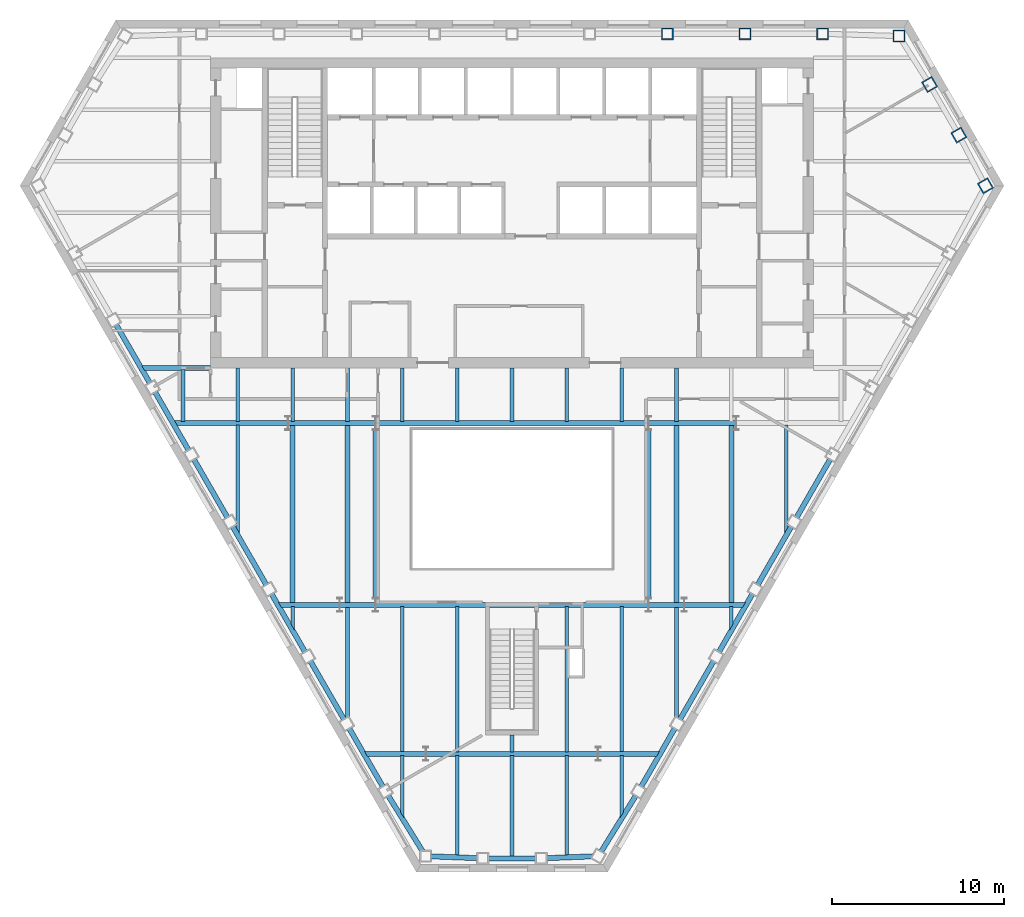
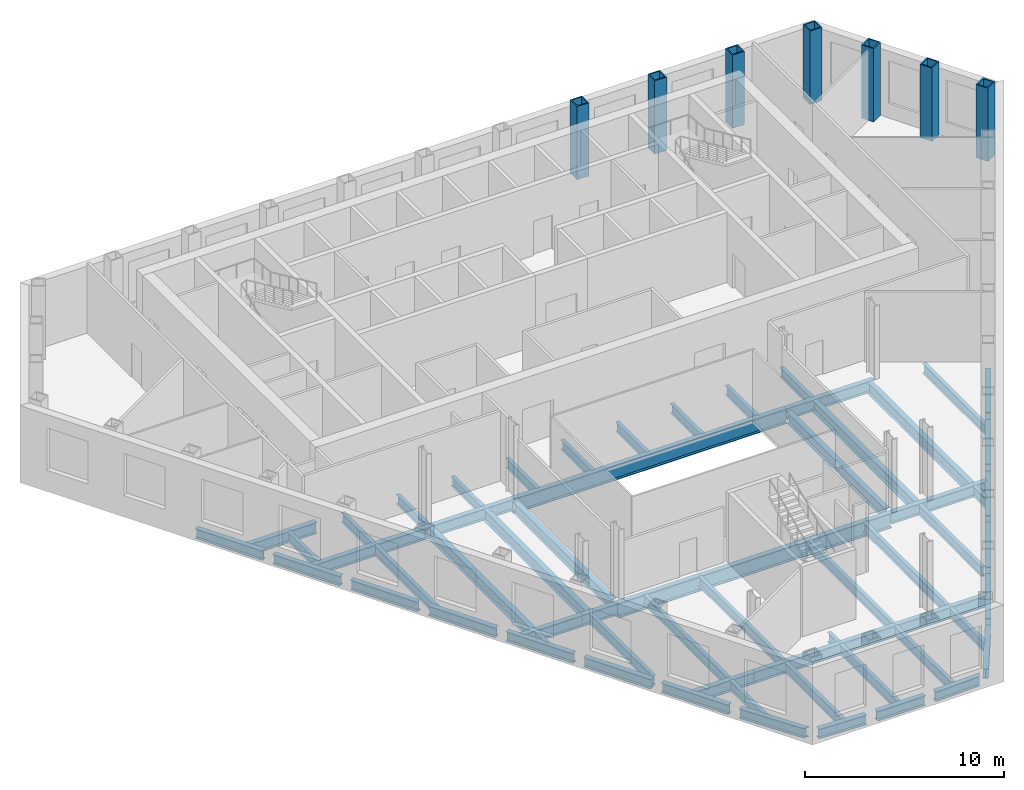
# One storey, part 2 of 11: 62 beams, 7 columns.
"""IFC4 building model written with IfcOpenShell, lengths in metres."""

from ifc_helpers import new_model, si_unit, direction, frame, origin, origin_2d, place, context, subcontext, project, spatial, hollow_rectangle, i_section, extrude, clip, halfspace, material, material_profile, profile_set, type_object, element, save


model = new_model("IFC4")

# Units and contexts
model_context = context("Model", 3, precision=1e-05, world=origin(), true_north=direction((0.0, 1.0)))
body_context = subcontext(model_context, "Body", "Model", "MODEL_VIEW")
ifc_project = project(units=[si_unit("LENGTHUNIT", "METRE"), si_unit("AREAUNIT", "SQUARE_METRE"), si_unit("VOLUMEUNIT", "CUBIC_METRE"), si_unit("PLANEANGLEUNIT", "RADIAN"), si_unit("MASSUNIT", "GRAM", prefix="KILO")], contexts=[model_context])

# Site, building, storey
site_placement = place(None, origin())
site = spatial("IfcSite", under=ifc_project, at=site_placement, CompositionType="ELEMENT")
building_placement = place(site_placement, origin())
building = spatial("IfcBuilding", under=site, at=building_placement, Name="Njiva Tower", CompositionType="ELEMENT")
storey_placement = place(building_placement, frame((0.0, 0.0, 64.8)))
storey = spatial("IfcBuildingStorey", under=building, at=storey_placement, Name="L13", CompositionType="ELEMENT", Elevation=64.8)

# Columns
ifc_material = material(Name="Steel S355 J2", Category="steel")
ifc_material_profile_1 = material_profile(ifc_material, hollow_rectangle(XDim=0.7, YDim=0.7, WallThickness=0.07, at=origin_2d()), Name="BOX 700x700x70")
ifc_profile_set_1 = profile_set([ifc_material_profile_1], Name="Steel S355 J2")
column_type = type_object("IfcColumnType", Name="C5 Perimeter tube column BOX 700x700x70", PredefinedType="COLUMN", material=ifc_profile_set_1)
for number, where, z_axis, x_axis, name in (
    (1, (22.466, 19.267, 0.0), (0.0, 0.0, 1.0), (-1.0, 0.0, 0.0), "Perimeter tube column S04-C01"),
    (2, (18.034, 19.4, 0.0), (0.0, 0.0, 1.0), (-1.0, 0.0, 0.0), "Perimeter tube column S04-C02"),
    (3, (13.526, 19.4, 0.0), (0.0, 0.0, 1.0), (-1.0, 0.0, 0.0), "Perimeter tube column S04-C03"),
    (4, (9.017, 19.4, 0.0), (0.0, 0.0, 1.0), (-1.0, 0.0, 0.0), "Perimeter tube column S04-C04"),
    (5, (27.483, 10.578, 0.0), (0.0, 0.0, 1.0), (-0.5, 0.866025403784, 0.0), "Perimeter tube column S04-C37"),
    (6, (25.939, 13.519, 0.0), (0.0, 0.0, 1.0), (-0.5, 0.866025403784, 0.0), "Perimeter tube column S04-C38"),
    (7, (24.241, 16.459, 0.0), (0.0, 0.0, 1.0), (-0.5, 0.866025403784, 0.0), "Perimeter tube column S04-C39"),
):
    element("IfcColumn", number, at=place(storey_placement, frame(where, z_axis=z_axis, x_axis=x_axis)), inside=storey, type_object=column_type, Name=name, PredefinedType="COLUMN", context=body_context, shape_type="SweptSolid", body=[
        extrude(hollow_rectangle(XDim=0.7, YDim=0.7, WallThickness=0.07, at=origin_2d()), origin(), (0.0, 0.0, 1.0), 4.5),
    ])

# Beams
ifc_material_profile_2 = material_profile(ifc_material, i_section(OverallWidth=0.3, OverallDepth=0.69, WebThickness=0.0145, FlangeThickness=0.027, at=origin_2d()), Name="HEA 700")
ifc_profile_set_2 = profile_set([ifc_material_profile_2], Name="Steel S355 J2")
beam_type_1 = type_object("IfcBeamType", Name="B12 Long-span floor joist HEA 700", PredefinedType="JOIST", material=ifc_profile_set_2)
for number, where, z_axis, x_axis, name in (
    (8, (-12.733, -3.3, -0.545), (0.0, -1.0, 0.0), (1.0, 0.0, 0.0), "Long-span floor joist S04-B064"),
    (9, (-9.55, -3.3, -0.545), (0.0, -1.0, 0.0), (1.0, 0.0, 0.0), "Long-span floor joist S04-B068"),
    (10, (9.55, -3.3, -0.545), (0.0, -1.0, 0.0), (1.0, 0.0, 0.0), "Long-span floor joist S04-B087"),
    (11, (12.733, -3.3, -0.545), (0.0, -1.0, 0.0), (1.0, 0.0, 0.0), "Long-span floor joist S04-B090"),
):
    element("IfcBeam", number, at=place(storey_placement, frame(where, z_axis=z_axis, x_axis=x_axis)), inside=storey, type_object=beam_type_1, Name=name, PredefinedType="JOIST", context=body_context, shape_type="SweptSolid", body=[
        extrude(i_section(OverallWidth=0.3, OverallDepth=0.69, WebThickness=0.0145, FlangeThickness=0.027, at=origin_2d()), origin(), (0.0, 0.0, 1.0), 10.35),
    ])
ifc_material_profile_3 = material_profile(ifc_material, i_section(OverallWidth=0.22, OverallDepth=0.6, WebThickness=0.012, FlangeThickness=0.019, at=origin_2d()), Name="IPE 600")
ifc_profile_set_3 = profile_set([ifc_material_profile_3], Name="Steel S355 J2")
beam_type_2 = type_object("IfcBeamType", Name="B13 Floor joist IPE 600", PredefinedType="JOIST", material=ifc_profile_set_3)
beam_1_placement = place(storey_placement, frame((-15.917, -3.3, -0.5), z_axis=(0.0, -1.0, 0.0), x_axis=(1.0, 0.0, 0.0)))
element("IfcBeam", 12, at=beam_1_placement, inside=storey, type_object=beam_type_2, Name="Floor joist S04-B061", PredefinedType="JOIST", context=body_context, shape_type="Clipping", body=[
    clip(extrude(i_section(OverallWidth=0.22, OverallDepth=0.6, WebThickness=0.012, FlangeThickness=0.019, at=origin_2d()), origin(), (0.0, 0.0, 1.0), 6.431), halfspace(frame((-0.043, 0.0, 6.1454), z_axis=(-0.866026552831, 0.0, 0.499998009787), x_axis=(0.0, 1.0, 0.0)), False)),
])
beam_2_placement = place(storey_placement, frame((-9.55, -13.85, -0.5), z_axis=(0.0, -1.0, 0.0), x_axis=(1.0, 0.0, 0.0)))
element("IfcBeam", 13, at=beam_2_placement, inside=storey, type_object=beam_type_2, Name="Floor joist S04-B067", PredefinedType="JOIST", context=body_context, shape_type="Clipping", body=[
    clip(extrude(i_section(OverallWidth=0.22, OverallDepth=0.6, WebThickness=0.012, FlangeThickness=0.019, at=origin_2d()), origin(), (0.0, 0.0, 1.0), 6.516), halfspace(frame((0.025, 0.0, 6.4171), z_axis=(0.499998009787, 0.0, 0.866026552831), x_axis=(0.0, 1.0, 0.0)), False)),
])
for number, where, z_axis, x_axis, name in (
    (14, (-6.367, -13.851, -0.5), (0.0, -1.0, 0.0), (1.0, 0.0, 0.0), "Floor joist S04-B071"),
    (15, (-3.183, -13.851, -0.5), (0.0, -1.0, 0.0), (1.0, 0.0, 0.0), "Floor joist S04-B074"),
):
    element("IfcBeam", number, at=place(storey_placement, frame(where, z_axis=z_axis, x_axis=x_axis)), inside=storey, type_object=beam_type_2, Name=name, PredefinedType="JOIST", context=body_context, shape_type="SweptSolid", body=[
        extrude(i_section(OverallWidth=0.22, OverallDepth=0.6, WebThickness=0.012, FlangeThickness=0.019, at=origin_2d()), origin(), (0.0, 0.0, 1.0), 8.449),
    ])
beam_3_placement = place(storey_placement, frame((-3.183, -22.5, -0.5), z_axis=(0.0, -1.0, 0.0), x_axis=(1.0, 0.0, 0.0)))
element("IfcBeam", 16, at=beam_3_placement, inside=storey, type_object=beam_type_2, Name="Floor joist S04-B073", PredefinedType="JOIST", context=body_context, shape_type="SweptSolid", body=[
    extrude(i_section(OverallWidth=0.22, OverallDepth=0.6, WebThickness=0.012, FlangeThickness=0.019, at=origin_2d()), origin(), (0.0, 0.0, 1.0), 5.804),
])
beam_4_placement = place(storey_placement, frame((0.0, -22.5, -0.5), z_axis=(0.0, -1.0, 0.0), x_axis=(1.0, 0.0, 0.0)))
element("IfcBeam", 17, at=beam_4_placement, inside=storey, type_object=beam_type_2, Name="Floor joist S04-B076", PredefinedType="JOIST", context=body_context, shape_type="SweptSolid", body=[
    extrude(i_section(OverallWidth=0.22, OverallDepth=0.6, WebThickness=0.012, FlangeThickness=0.019, at=origin_2d()), origin(), (0.0, 0.0, 1.0), 5.867),
])
beam_5_placement = place(storey_placement, frame((3.183, -13.851, -0.5), z_axis=(0.0, -1.0, 0.0), x_axis=(1.0, 0.0, 0.0)))
element("IfcBeam", 18, at=beam_5_placement, inside=storey, type_object=beam_type_2, Name="Floor joist S04-B080", PredefinedType="JOIST", context=body_context, shape_type="SweptSolid", body=[
    extrude(i_section(OverallWidth=0.22, OverallDepth=0.6, WebThickness=0.012, FlangeThickness=0.019, at=origin_2d()), origin(), (0.0, 0.0, 1.0), 8.449),
])
beam_6_placement = place(storey_placement, frame((3.183, -22.5, -0.5), z_axis=(0.0, -1.0, 0.0), x_axis=(1.0, 0.0, 0.0)))
element("IfcBeam", 19, at=beam_6_placement, inside=storey, type_object=beam_type_2, Name="Floor joist S04-B079", PredefinedType="JOIST", context=body_context, shape_type="SweptSolid", body=[
    extrude(i_section(OverallWidth=0.22, OverallDepth=0.6, WebThickness=0.012, FlangeThickness=0.019, at=origin_2d()), origin(), (0.0, 0.0, 1.0), 5.804),
])
beam_7_placement = place(storey_placement, frame((6.367, -13.851, -0.5), z_axis=(0.0, -1.0, 0.0), x_axis=(1.0, 0.0, 0.0)))
element("IfcBeam", 20, at=beam_7_placement, inside=storey, type_object=beam_type_2, Name="Floor joist S04-B083", PredefinedType="JOIST", context=body_context, shape_type="SweptSolid", body=[
    extrude(i_section(OverallWidth=0.22, OverallDepth=0.6, WebThickness=0.012, FlangeThickness=0.019, at=origin_2d()), origin(), (0.0, 0.0, 1.0), 8.449),
])
beam_8_placement = place(storey_placement, frame((9.55, -13.85, -0.5), z_axis=(0.0, -1.0, 0.0), x_axis=(1.0, 0.0, 0.0)))
element("IfcBeam", 21, at=beam_8_placement, inside=storey, type_object=beam_type_2, Name="Floor joist S04-B086", PredefinedType="JOIST", context=body_context, shape_type="Clipping", body=[
    clip(extrude(i_section(OverallWidth=0.22, OverallDepth=0.6, WebThickness=0.012, FlangeThickness=0.019, at=origin_2d()), origin(), (0.0, 0.0, 1.0), 6.516), halfspace(frame((-0.025, 0.0, 6.4171), z_axis=(-0.499998009787, 0.0, 0.866026552831), x_axis=(0.0, 1.0, 0.0)), False)),
])
beam_9_placement = place(storey_placement, frame((15.917, -3.3, -0.5), z_axis=(0.0, -1.0, 0.0), x_axis=(1.0, 0.0, 0.0)))
element("IfcBeam", 22, at=beam_9_placement, inside=storey, type_object=beam_type_2, Name="Floor joist S04-B092", PredefinedType="JOIST", context=body_context, shape_type="Clipping", body=[
    clip(extrude(i_section(OverallWidth=0.22, OverallDepth=0.6, WebThickness=0.012, FlangeThickness=0.019, at=origin_2d()), origin(), (0.0, 0.0, 1.0), 6.431), halfspace(frame((0.043, 0.0, 6.1454), z_axis=(0.866026552831, 0.0, 0.499998009787), x_axis=(0.0, 1.0, 0.0)), False)),
])
ifc_material_profile_4 = material_profile(ifc_material, i_section(OverallWidth=0.22, OverallDepth=0.6, WebThickness=0.012, FlangeThickness=0.019, at=origin_2d()), Name="IPE 600")
ifc_profile_set_4 = profile_set([ifc_material_profile_4], Name="Steel S355 J2")
beam_type_3 = type_object("IfcBeamType", Name="B14 Short-span floor joist IPE 600", PredefinedType="JOIST", material=ifc_profile_set_4)
beam_10_placement = place(storey_placement, frame((-19.1, -0.1, -0.5), z_axis=(0.0, -1.0, 0.0), x_axis=(1.0, 0.0, 0.0)))
element("IfcBeam", 23, at=beam_10_placement, inside=storey, type_object=beam_type_3, Name="Short-span floor joist S04-B060", PredefinedType="JOIST", context=body_context, shape_type="SweptSolid", body=[
    extrude(i_section(OverallWidth=0.22, OverallDepth=0.6, WebThickness=0.012, FlangeThickness=0.019, at=origin_2d()), origin(), (0.0, 0.0, 1.0), 3.0),
])
for number, where, z_axis, x_axis, name in (
    (24, (-15.917, -0.005, -0.5), (0.0, -1.0, 0.0), (1.0, 0.0, 0.0), "Short-span floor joist S04-B062"),
    (25, (-12.733, -0.005, -0.5), (0.0, -1.0, 0.0), (1.0, 0.0, 0.0), "Short-span floor joist S04-B065"),
):
    element("IfcBeam", number, at=place(storey_placement, frame(where, z_axis=z_axis, x_axis=x_axis)), inside=storey, type_object=beam_type_3, Name=name, PredefinedType="JOIST", context=body_context, shape_type="SweptSolid", body=[
        extrude(i_section(OverallWidth=0.22, OverallDepth=0.6, WebThickness=0.012, FlangeThickness=0.019, at=origin_2d()), origin(), (0.0, 0.0, 1.0), 3.095),
    ])
beam_11_placement = place(storey_placement, frame((-12.733, -13.85, -0.5), z_axis=(0.0, -1.0, 0.0), x_axis=(1.0, 0.0, 0.0)))
element("IfcBeam", 26, at=beam_11_placement, inside=storey, type_object=beam_type_3, Name="Short-span floor joist S04-B063", PredefinedType="JOIST", context=body_context, shape_type="Clipping", body=[
    clip(extrude(i_section(OverallWidth=0.22, OverallDepth=0.6, WebThickness=0.012, FlangeThickness=0.019, at=origin_2d()), origin(), (0.0, 0.0, 1.0), 1.395), halfspace(frame((-0.0436, 0.0, 1.1091), z_axis=(-0.866026552831, 0.0, 0.499998009787), x_axis=(0.0, 1.0, 0.0)), False)),
])
beam_12_placement = place(storey_placement, frame((-9.55, -0.005, -0.5), z_axis=(0.0, -1.0, 0.0), x_axis=(1.0, 0.0, 0.0)))
element("IfcBeam", 27, at=beam_12_placement, inside=storey, type_object=beam_type_3, Name="Short-span floor joist S04-B069", PredefinedType="JOIST", context=body_context, shape_type="SweptSolid", body=[
    extrude(i_section(OverallWidth=0.22, OverallDepth=0.6, WebThickness=0.012, FlangeThickness=0.019, at=origin_2d()), origin(), (0.0, 0.0, 1.0), 3.095),
])
beam_13_placement = place(storey_placement, frame((-6.367, -0.005, -0.5), z_axis=(0.0, -1.0, 0.0), x_axis=(1.0, 0.0, 0.0)))
element("IfcBeam", 28, at=beam_13_placement, inside=storey, type_object=beam_type_3, Name="Short-span floor joist S04-B072", PredefinedType="JOIST", context=body_context, shape_type="SweptSolid", body=[
    extrude(i_section(OverallWidth=0.22, OverallDepth=0.6, WebThickness=0.012, FlangeThickness=0.019, at=origin_2d()), origin(), (0.0, 0.0, 1.0), 3.094),
])
beam_14_placement = place(storey_placement, frame((-6.367, -22.5, -0.5), z_axis=(0.0, -1.0, 0.0), x_axis=(1.0, 0.0, 0.0)))
element("IfcBeam", 29, at=beam_14_placement, inside=storey, type_object=beam_type_3, Name="Short-span floor joist S04-B070", PredefinedType="JOIST", context=body_context, shape_type="Clipping", body=[
    clip(extrude(i_section(OverallWidth=0.22, OverallDepth=0.6, WebThickness=0.012, FlangeThickness=0.019, at=origin_2d()), origin(), (0.0, 0.0, 1.0), 3.657), halfspace(frame((-0.0422, 0.0, 3.3905), z_axis=(-0.850624900762, 0.0, 0.525773029171), x_axis=(0.0, 1.0, 0.0)), False)),
])
for number, where, z_axis, x_axis, name in (
    (30, (-3.183, -0.005, -0.5), (0.0, -1.0, 0.0), (1.0, 0.0, 0.0), "Short-span floor joist S04-B075"),
    (31, (0.0, -0.005, -0.5), (0.0, -1.0, 0.0), (1.0, 0.0, 0.0), "Short-span floor joist S04-B078"),
):
    element("IfcBeam", number, at=place(storey_placement, frame(where, z_axis=z_axis, x_axis=x_axis)), inside=storey, type_object=beam_type_3, Name=name, PredefinedType="JOIST", context=body_context, shape_type="SweptSolid", body=[
        extrude(i_section(OverallWidth=0.22, OverallDepth=0.6, WebThickness=0.012, FlangeThickness=0.019, at=origin_2d()), origin(), (0.0, 0.0, 1.0), 3.094),
    ])
beam_15_placement = place(storey_placement, frame((0.0, -21.3, -0.5), z_axis=(0.0, -1.0, 0.0), x_axis=(1.0, 0.0, 0.0)))
element("IfcBeam", 32, at=beam_15_placement, inside=storey, type_object=beam_type_3, Name="Short-span floor joist S04-B077", PredefinedType="JOIST", context=body_context, shape_type="SweptSolid", body=[
    extrude(i_section(OverallWidth=0.22, OverallDepth=0.6, WebThickness=0.012, FlangeThickness=0.019, at=origin_2d()), origin(), (0.0, 0.0, 1.0), 1.0),
])
for number, where, z_axis, x_axis, name in (
    (33, (3.183, -0.005, -0.5), (0.0, -1.0, 0.0), (1.0, 0.0, 0.0), "Short-span floor joist S04-B081"),
    (34, (6.367, -0.005, -0.5), (0.0, -1.0, 0.0), (1.0, 0.0, 0.0), "Short-span floor joist S04-B084"),
):
    element("IfcBeam", number, at=place(storey_placement, frame(where, z_axis=z_axis, x_axis=x_axis)), inside=storey, type_object=beam_type_3, Name=name, PredefinedType="JOIST", context=body_context, shape_type="SweptSolid", body=[
        extrude(i_section(OverallWidth=0.22, OverallDepth=0.6, WebThickness=0.012, FlangeThickness=0.019, at=origin_2d()), origin(), (0.0, 0.0, 1.0), 3.094),
    ])
beam_16_placement = place(storey_placement, frame((6.367, -22.5, -0.5), z_axis=(0.0, -1.0, 0.0), x_axis=(1.0, 0.0, 0.0)))
element("IfcBeam", 35, at=beam_16_placement, inside=storey, type_object=beam_type_3, Name="Short-span floor joist S04-B082", PredefinedType="JOIST", context=body_context, shape_type="Clipping", body=[
    clip(extrude(i_section(OverallWidth=0.22, OverallDepth=0.6, WebThickness=0.012, FlangeThickness=0.019, at=origin_2d()), origin(), (0.0, 0.0, 1.0), 3.657), halfspace(frame((0.0422, 0.0, 3.3905), z_axis=(0.850624900762, 0.0, 0.525773029171), x_axis=(0.0, 1.0, 0.0)), False)),
])
beam_17_placement = place(storey_placement, frame((9.55, -0.005, -0.5), z_axis=(0.0, -1.0, 0.0), x_axis=(1.0, 0.0, 0.0)))
element("IfcBeam", 36, at=beam_17_placement, inside=storey, type_object=beam_type_3, Name="Short-span floor joist S04-B088", PredefinedType="JOIST", context=body_context, shape_type="SweptSolid", body=[
    extrude(i_section(OverallWidth=0.22, OverallDepth=0.6, WebThickness=0.012, FlangeThickness=0.019, at=origin_2d()), origin(), (0.0, 0.0, 1.0), 3.095),
])
beam_18_placement = place(storey_placement, frame((12.733, -13.85, -0.5), z_axis=(0.0, -1.0, 0.0), x_axis=(1.0, 0.0, 0.0)))
element("IfcBeam", 37, at=beam_18_placement, inside=storey, type_object=beam_type_3, Name="Short-span floor joist S04-B089", PredefinedType="JOIST", context=body_context, shape_type="Clipping", body=[
    clip(extrude(i_section(OverallWidth=0.22, OverallDepth=0.6, WebThickness=0.012, FlangeThickness=0.019, at=origin_2d()), origin(), (0.0, 0.0, 1.0), 1.395), halfspace(frame((0.0436, 0.0, 1.1091), z_axis=(0.866026552831, 0.0, 0.499998009787), x_axis=(0.0, 1.0, 0.0)), False)),
])
ifc_material_profile_5 = material_profile(ifc_material, i_section(OverallWidth=0.3, OverallDepth=0.69, WebThickness=0.0145, FlangeThickness=0.027, at=origin_2d()), Name="HEA 700")
ifc_profile_set_5 = profile_set([ifc_material_profile_5], Name="Steel S355 J2")
beam_type_4 = type_object("IfcBeamType", Name="B15 Floor girder HEA 700", PredefinedType="BEAM", material=ifc_profile_set_5)
beam_19_placement = place(storey_placement, frame((-19.673, -3.2, -0.545), z_axis=(1.0, 0.0, 0.0), x_axis=(0.0, 1.0, 0.0)))
element("IfcBeam", 38, at=beam_19_placement, inside=storey, type_object=beam_type_4, Name="Floor girder S04-B016", PredefinedType="BEAM", context=body_context, shape_type="Clipping", body=[
    clip(extrude(i_section(OverallWidth=0.3, OverallDepth=0.69, WebThickness=0.0145, FlangeThickness=0.027, at=origin_2d()), origin(), (0.0, 0.0, 1.0), 6.673), halfspace(frame((-0.025, 0.0, 0.1217), z_axis=(-0.499998009787, 0.0, -0.866026552831), x_axis=(0.0, -1.0, 0.0)), False)),
])
for number, where, z_axis, x_axis, name in (
    (39, (-13.0, -3.2, -0.545), (1.0, 0.0, 0.0), (0.0, 1.0, 0.0), "Floor girder S04-B018"),
    (40, (7.93, -3.2, -0.545), (1.0, 0.0, 0.0), (0.0, 1.0, 0.0), "Floor girder S04-B024"),
):
    element("IfcBeam", number, at=place(storey_placement, frame(where, z_axis=z_axis, x_axis=x_axis)), inside=storey, type_object=beam_type_4, Name=name, PredefinedType="BEAM", context=body_context, shape_type="SweptSolid", body=[
        extrude(i_section(OverallWidth=0.3, OverallDepth=0.69, WebThickness=0.0145, FlangeThickness=0.027, at=origin_2d()), origin(), (0.0, 0.0, 1.0), 5.07),
    ])
ifc_material_profile_6 = material_profile(ifc_material, i_section(OverallWidth=0.3, OverallDepth=0.69, WebThickness=0.0145, FlangeThickness=0.027, at=origin_2d()), Name="HEA 700")
ifc_profile_set_6 = profile_set([ifc_material_profile_6], Name="Steel S355 J2")
beam_type_5 = type_object("IfcBeamType", Name="B16 Short-span floor girder HEA 700", PredefinedType="BEAM", material=ifc_profile_set_6)
beam_20_placement = place(storey_placement, frame((-13.582, -13.75, -0.545), z_axis=(1.0, 0.0, 0.0), x_axis=(0.0, 1.0, 0.0)))
element("IfcBeam", 41, at=beam_20_placement, inside=storey, type_object=beam_type_5, Name="Short-span floor girder S04-B017", PredefinedType="BEAM", context=body_context, shape_type="Clipping", body=[
    clip(extrude(i_section(OverallWidth=0.3, OverallDepth=0.69, WebThickness=0.0145, FlangeThickness=0.027, at=origin_2d()), origin(), (0.0, 0.0, 1.0), 3.582), halfspace(frame((-0.025, 0.0, 0.1217), z_axis=(-0.499998009787, 0.0, -0.866026552831), x_axis=(0.0, -1.0, 0.0)), False)),
])
for number, where, z_axis, x_axis, name in (
    (42, (-10.0, -13.75, -0.545), (1.0, 0.0, 0.0), (0.0, 1.0, 0.0), "Short-span floor girder S04-B019"),
    (43, (7.93, -13.75, -0.545), (1.0, 0.0, 0.0), (0.0, 1.0, 0.0), "Short-span floor girder S04-B023"),
):
    element("IfcBeam", number, at=place(storey_placement, frame(where, z_axis=z_axis, x_axis=x_axis)), inside=storey, type_object=beam_type_5, Name=name, PredefinedType="BEAM", context=body_context, shape_type="SweptSolid", body=[
        extrude(i_section(OverallWidth=0.3, OverallDepth=0.69, WebThickness=0.0145, FlangeThickness=0.027, at=origin_2d()), origin(), (0.0, 0.0, 1.0), 2.07),
    ])
beam_21_placement = place(storey_placement, frame((10.0, -13.75, -0.545), z_axis=(1.0, 0.0, 0.0), x_axis=(0.0, 1.0, 0.0)))
element("IfcBeam", 44, at=beam_21_placement, inside=storey, type_object=beam_type_5, Name="Short-span floor girder S04-B025", PredefinedType="BEAM", context=body_context, shape_type="Clipping", body=[
    clip(extrude(i_section(OverallWidth=0.3, OverallDepth=0.69, WebThickness=0.0145, FlangeThickness=0.027, at=origin_2d()), origin(), (0.0, 0.0, 1.0), 3.582), halfspace(frame((-0.025, 0.0, 3.4603), z_axis=(-0.499998009787, 0.0, 0.866026552831), x_axis=(0.0, 1.0, 0.0)), False)),
])
beam_22_placement = place(storey_placement, frame((-8.588, -22.4, -0.545), z_axis=(1.0, 0.0, 0.0), x_axis=(0.0, 1.0, 0.0)))
element("IfcBeam", 45, at=beam_22_placement, inside=storey, type_object=beam_type_5, Name="Short-span floor girder S04-B020", PredefinedType="BEAM", context=body_context, shape_type="Clipping", body=[
    clip(extrude(i_section(OverallWidth=0.3, OverallDepth=0.69, WebThickness=0.0145, FlangeThickness=0.027, at=origin_2d()), origin(), (0.0, 0.0, 1.0), 3.588), halfspace(frame((-0.025, 0.0, 0.1218), z_axis=(-0.499998009787, 0.0, -0.866026552831), x_axis=(0.0, -1.0, 0.0)), False)),
])
beam_23_placement = place(storey_placement, frame((5.0, -22.4, -0.545), z_axis=(1.0, 0.0, 0.0), x_axis=(0.0, 1.0, 0.0)))
element("IfcBeam", 46, at=beam_23_placement, inside=storey, type_object=beam_type_5, Name="Short-span floor girder S04-B022", PredefinedType="BEAM", context=body_context, shape_type="Clipping", body=[
    clip(extrude(i_section(OverallWidth=0.3, OverallDepth=0.69, WebThickness=0.0145, FlangeThickness=0.027, at=origin_2d()), origin(), (0.0, 0.0, 1.0), 3.588), halfspace(frame((-0.025, 0.0, 3.4662), z_axis=(-0.499998009787, 0.0, 0.866026552831), x_axis=(0.0, 1.0, 0.0)), False)),
])
beam_24_placement = place(storey_placement, frame((-21.52, 0.0, -0.545), z_axis=(1.0, 0.0, 0.0), x_axis=(0.0, 1.0, 0.0)))
element("IfcBeam", 47, at=beam_24_placement, inside=storey, type_object=beam_type_5, Name="Short-span floor girder S04-B015", PredefinedType="BEAM", context=body_context, shape_type="Clipping", body=[
    clip(extrude(i_section(OverallWidth=0.3, OverallDepth=0.69, WebThickness=0.0145, FlangeThickness=0.027, at=origin_2d()), origin(), (0.0, 0.0, 1.0), 4.02), halfspace(frame((-0.025, 0.0, 0.1211), z_axis=(-0.499998009787, 0.0, -0.866026552831), x_axis=(0.0, -1.0, 0.0)), False)),
])
ifc_material_profile_7 = material_profile(ifc_material, i_section(OverallWidth=0.3, OverallDepth=0.69, WebThickness=0.0145, FlangeThickness=0.027, at=origin_2d()), Name="HEA 700")
ifc_profile_set_7 = profile_set([ifc_material_profile_7], Name="Steel S355 J2")
beam_type_6 = type_object("IfcBeamType", Name="B17 Long-span floor girder HEA 700", PredefinedType="BEAM", material=ifc_profile_set_7)
beam_25_placement = place(storey_placement, frame((-5.0, -22.4, -0.545), z_axis=(1.0, 0.0, 0.0), x_axis=(0.0, 1.0, 0.0)))
element("IfcBeam", 48, at=beam_25_placement, inside=storey, type_object=beam_type_6, Name="Long-span floor girder S04-B021", PredefinedType="BEAM", context=body_context, shape_type="SweptSolid", body=[
    extrude(i_section(OverallWidth=0.3, OverallDepth=0.69, WebThickness=0.0145, FlangeThickness=0.027, at=origin_2d()), origin(), (0.0, 0.0, 1.0), 10.0),
])
ifc_material_profile_8 = material_profile(ifc_material, i_section(OverallWidth=0.3, OverallDepth=0.69, WebThickness=0.0145, FlangeThickness=0.027, at=origin_2d()), Name="HEA 700")
ifc_profile_set_8 = profile_set([ifc_material_profile_8], Name="Steel S355 J2")
beam_type_7 = type_object("IfcBeamType", Name="B18 Long-span atrium trimmer beam HEA 700", PredefinedType="BEAM", material=ifc_profile_set_8)
for number, where, z_axis, x_axis, name in (
    (49, (7.93, -13.393, -0.545), (0.0, 1.0, 0.0), (-1.0, 0.0, 0.0), "Long-span atrium trimmer beam S04-B100"),
    (50, (-7.93, -3.557, -0.545), (0.0, -1.0, 0.0), (1.0, 0.0, 0.0), "Long-span atrium trimmer beam S04-B097"),
):
    element("IfcBeam", number, at=place(storey_placement, frame(where, z_axis=z_axis, x_axis=x_axis)), inside=storey, type_object=beam_type_7, Name=name, PredefinedType="BEAM", context=body_context, shape_type="SweptSolid", body=[
        extrude(i_section(OverallWidth=0.3, OverallDepth=0.69, WebThickness=0.0145, FlangeThickness=0.027, at=origin_2d()), origin(), (0.0, 0.0, 1.0), 9.836),
    ])
ifc_material_profile_9 = material_profile(ifc_material, i_section(OverallWidth=0.3, OverallDepth=0.6, WebThickness=0.0155, FlangeThickness=0.03, at=origin_2d()), Name="HEB 600")
ifc_profile_set_9 = profile_set([ifc_material_profile_9], Name="Steel S355 J2")
beam_type_8 = type_object("IfcBeamType", Name="B3 Short-span spandrel beam HEB 600", PredefinedType="SPANDREL", material=ifc_profile_set_9)
beam_26_placement = place(storey_placement, frame((-22.978, 2.509, -0.5), z_axis=(0.500239230067, -0.865887240177, 0.0), x_axis=(0.865887240177, 0.500239230067, 0.0)))
element("IfcBeam", 51, at=beam_26_placement, inside=storey, type_object=beam_type_8, Name="Short-span spandrel beam S04-B111", PredefinedType="SPANDREL", context=body_context, shape_type="SweptSolid", body=[
    extrude(i_section(OverallWidth=0.3, OverallDepth=0.6, WebThickness=0.0155, FlangeThickness=0.03, at=origin_2d()), origin(), (0.0, 0.0, 1.0), 3.9081),
])
beam_27_placement = place(storey_placement, frame((-20.723, -1.395, -0.5), z_axis=(0.499936548189, -0.866062034606, 0.0), x_axis=(0.866062034606, 0.499936548189, 0.0)))
element("IfcBeam", 52, at=beam_27_placement, inside=storey, type_object=beam_type_8, Name="Short-span spandrel beam S04-B115", PredefinedType="SPANDREL", context=body_context, shape_type="SweptSolid", body=[
    extrude(i_section(OverallWidth=0.3, OverallDepth=0.6, WebThickness=0.0155, FlangeThickness=0.03, at=origin_2d()), origin(), (0.0, 0.0, 1.0), 3.9085),
])
beam_28_placement = place(storey_placement, frame((-18.469, -5.3, -0.5), z_axis=(0.500047346826, -0.865998066356, 0.0), x_axis=(0.865998066356, 0.500047346826, 0.0)))
element("IfcBeam", 53, at=beam_28_placement, inside=storey, type_object=beam_type_8, Name="Short-span spandrel beam S04-B117", PredefinedType="SPANDREL", context=body_context, shape_type="SweptSolid", body=[
    extrude(i_section(OverallWidth=0.3, OverallDepth=0.6, WebThickness=0.0155, FlangeThickness=0.03, at=origin_2d()), origin(), (0.0, 0.0, 1.0), 3.9076),
])
beam_29_placement = place(storey_placement, frame((-16.215, -9.204, -0.5), z_axis=(0.500128417272, -0.865951249342, 0.0), x_axis=(0.865951249342, 0.500128417272, 0.0)))
element("IfcBeam", 54, at=beam_29_placement, inside=storey, type_object=beam_type_8, Name="Short-span spandrel beam S04-B121", PredefinedType="SPANDREL", context=body_context, shape_type="SweptSolid", body=[
    extrude(i_section(OverallWidth=0.3, OverallDepth=0.6, WebThickness=0.0155, FlangeThickness=0.03, at=origin_2d()), origin(), (0.0, 0.0, 1.0), 3.909),
])
beam_30_placement = place(storey_placement, frame((-13.96, -13.109, -0.5), z_axis=(0.499936548189, -0.866062034606, 0.0), x_axis=(0.866062034606, 0.499936548189, 0.0)))
element("IfcBeam", 55, at=beam_30_placement, inside=storey, type_object=beam_type_8, Name="Short-span spandrel beam S04-B123", PredefinedType="SPANDREL", context=body_context, shape_type="SweptSolid", body=[
    extrude(i_section(OverallWidth=0.3, OverallDepth=0.6, WebThickness=0.0155, FlangeThickness=0.03, at=origin_2d()), origin(), (0.0, 0.0, 1.0), 3.9085),
])
beam_31_placement = place(storey_placement, frame((-11.706, -17.014, -0.5), z_axis=(0.500047346826, -0.865998066356, 0.0), x_axis=(0.865998066356, 0.500047346826, 0.0)))
element("IfcBeam", 56, at=beam_31_placement, inside=storey, type_object=beam_type_8, Name="Short-span spandrel beam S04-B127", PredefinedType="SPANDREL", context=body_context, shape_type="SweptSolid", body=[
    extrude(i_section(OverallWidth=0.3, OverallDepth=0.6, WebThickness=0.0155, FlangeThickness=0.03, at=origin_2d()), origin(), (0.0, 0.0, 1.0), 3.9076),
])
beam_32_placement = place(storey_placement, frame((-9.452, -20.918, -0.5), z_axis=(0.500128417272, -0.865951249342, 0.0), x_axis=(0.865951249342, 0.500128417272, 0.0)))
element("IfcBeam", 57, at=beam_32_placement, inside=storey, type_object=beam_type_8, Name="Short-span spandrel beam S04-B129", PredefinedType="SPANDREL", context=body_context, shape_type="SweptSolid", body=[
    extrude(i_section(OverallWidth=0.3, OverallDepth=0.6, WebThickness=0.0155, FlangeThickness=0.03, at=origin_2d()), origin(), (0.0, 0.0, 1.0), 3.909),
])
beam_33_placement = place(storey_placement, frame((-7.187, -24.822, -0.5), z_axis=(0.525707123984, -0.850665633368, 0.0), x_axis=(0.850665633368, 0.525707123984, 0.0)))
element("IfcBeam", 58, at=beam_33_placement, inside=storey, type_object=beam_type_8, Name="Short-span spandrel beam S04-B132", PredefinedType="SPANDREL", context=body_context, shape_type="Clipping", body=[
    clip(extrude(i_section(OverallWidth=0.3, OverallDepth=0.6, WebThickness=0.0155, FlangeThickness=0.03, at=origin_2d()), origin(), (0.0, 0.0, 1.0), 3.8889), halfspace(frame((-0.0262, 0.0, 3.7597), z_axis=(-0.525707123984, 0.0, 0.850665633368), x_axis=(0.0, 1.0, 0.0)), False)),
])
beam_34_placement = place(storey_placement, frame((-4.711, -28.347, -0.5), z_axis=(0.999205667204, -0.039850152163, 0.0), x_axis=(0.039850152163, 0.999205667204, 0.0)))
element("IfcBeam", 59, at=beam_34_placement, inside=storey, type_object=beam_type_8, Name="Short-span spandrel beam S04-B135", PredefinedType="SPANDREL", context=body_context, shape_type="SweptSolid", body=[
    extrude(i_section(OverallWidth=0.3, OverallDepth=0.6, WebThickness=0.0155, FlangeThickness=0.03, at=origin_2d()), origin(), (0.0, 0.0, 1.0), 2.7102),
])
beam_35_placement = place(storey_placement, frame((-1.398, -28.467, -0.5), z_axis=(1.0, 0.0, 0.0), x_axis=(0.0, 1.0, 0.0)))
element("IfcBeam", 60, at=beam_35_placement, inside=storey, type_object=beam_type_8, Name="Short-span spandrel beam S04-B138", PredefinedType="SPANDREL", context=body_context, shape_type="SweptSolid", body=[
    extrude(i_section(OverallWidth=0.3, OverallDepth=0.6, WebThickness=0.0155, FlangeThickness=0.03, at=origin_2d()), origin(), (0.0, 0.0, 1.0), 2.796),
])
beam_36_placement = place(storey_placement, frame((2.003, -28.455, -0.5), z_axis=(0.999205755643, 0.039847934574, 0.0), x_axis=(-0.039847934574, 0.999205755643, 0.0)))
element("IfcBeam", 61, at=beam_36_placement, inside=storey, type_object=beam_type_8, Name="Short-span spandrel beam S04-B140", PredefinedType="SPANDREL", context=body_context, shape_type="Clipping", body=[
    clip(extrude(i_section(OverallWidth=0.3, OverallDepth=0.6, WebThickness=0.0155, FlangeThickness=0.03, at=origin_2d()), origin(), (0.0, 0.0, 1.0), 2.7751), halfspace(frame((-0.0263, 0.0, 2.6435), z_axis=(-0.534110258606, 0.0, 0.845414828148), x_axis=(0.0, 1.0, 0.0)), False)),
])
beam_37_placement = place(storey_placement, frame((5.176, -28.076, -0.5), z_axis=(0.525715487097, 0.850660464949, 0.0), x_axis=(-0.850660464949, 0.525715487097, 0.0)))
element("IfcBeam", 62, at=beam_37_placement, inside=storey, type_object=beam_type_8, Name="Short-span spandrel beam S04-B144", PredefinedType="SPANDREL", context=body_context, shape_type="SweptSolid", body=[
    extrude(i_section(OverallWidth=0.3, OverallDepth=0.6, WebThickness=0.0155, FlangeThickness=0.03, at=origin_2d()), origin(), (0.0, 0.0, 1.0), 3.8253),
])
beam_38_placement = place(storey_placement, frame((7.497, -24.303, -0.5), z_axis=(0.500128417272, 0.865951249342, 0.0), x_axis=(-0.865951249342, 0.500128417272, 0.0)))
element("IfcBeam", 63, at=beam_38_placement, inside=storey, type_object=beam_type_8, Name="Short-span spandrel beam S04-B146", PredefinedType="SPANDREL", context=body_context, shape_type="SweptSolid", body=[
    extrude(i_section(OverallWidth=0.3, OverallDepth=0.6, WebThickness=0.0155, FlangeThickness=0.03, at=origin_2d()), origin(), (0.0, 0.0, 1.0), 3.909),
])
beam_39_placement = place(storey_placement, frame((9.752, -20.398, -0.5), z_axis=(0.500047346826, 0.865998066356, 0.0), x_axis=(-0.865998066356, 0.500047346826, 0.0)))
element("IfcBeam", 64, at=beam_39_placement, inside=storey, type_object=beam_type_8, Name="Short-span spandrel beam S04-B150", PredefinedType="SPANDREL", context=body_context, shape_type="SweptSolid", body=[
    extrude(i_section(OverallWidth=0.3, OverallDepth=0.6, WebThickness=0.0155, FlangeThickness=0.03, at=origin_2d()), origin(), (0.0, 0.0, 1.0), 3.9076),
])
beam_40_placement = place(storey_placement, frame((12.006, -16.494, -0.5), z_axis=(0.499936548189, 0.866062034606, 0.0), x_axis=(-0.866062034606, 0.499936548189, 0.0)))
element("IfcBeam", 65, at=beam_40_placement, inside=storey, type_object=beam_type_8, Name="Short-span spandrel beam S04-B152", PredefinedType="SPANDREL", context=body_context, shape_type="SweptSolid", body=[
    extrude(i_section(OverallWidth=0.3, OverallDepth=0.6, WebThickness=0.0155, FlangeThickness=0.03, at=origin_2d()), origin(), (0.0, 0.0, 1.0), 3.9085),
])
beam_41_placement = place(storey_placement, frame((14.26, -12.589, -0.5), z_axis=(0.500128417272, 0.865951249342, 0.0), x_axis=(-0.865951249342, 0.500128417272, 0.0)))
element("IfcBeam", 66, at=beam_41_placement, inside=storey, type_object=beam_type_8, Name="Short-span spandrel beam S04-B156", PredefinedType="SPANDREL", context=body_context, shape_type="SweptSolid", body=[
    extrude(i_section(OverallWidth=0.3, OverallDepth=0.6, WebThickness=0.0155, FlangeThickness=0.03, at=origin_2d()), origin(), (0.0, 0.0, 1.0), 3.909),
])
beam_42_placement = place(storey_placement, frame((16.515, -8.684, -0.5), z_axis=(0.500047346826, 0.865998066356, 0.0), x_axis=(-0.865998066356, 0.500047346826, 0.0)))
element("IfcBeam", 67, at=beam_42_placement, inside=storey, type_object=beam_type_8, Name="Short-span spandrel beam S04-B158", PredefinedType="SPANDREL", context=body_context, shape_type="SweptSolid", body=[
    extrude(i_section(OverallWidth=0.3, OverallDepth=0.6, WebThickness=0.0155, FlangeThickness=0.03, at=origin_2d()), origin(), (0.0, 0.0, 1.0), 3.9076),
])
ifc_material_profile_10 = material_profile(ifc_material, i_section(OverallWidth=0.302, OverallDepth=0.91, WebThickness=0.021, FlangeThickness=0.04, at=origin_2d()), Name="HEM 900")
ifc_profile_set_10 = profile_set([ifc_material_profile_10], Name="Steel S355 J2")
beam_type_9 = type_object("IfcBeamType", Name="B8 Long-span atrium trimmer beam HEM 900", PredefinedType="BEAM", material=ifc_profile_set_10)
for number, where, z_axis, x_axis, name in (
    (68, (-7.93, -13.75, -0.655), (1.0, 0.0, 0.0), (0.0, 1.0, 0.0), "Long-span atrium trimmer beam S04-B096"),
    (69, (7.93, -3.2, -0.655), (-1.0, 0.0, 0.0), (0.0, -1.0, 0.0), "Long-span atrium trimmer beam S04-B098"),
):
    element("IfcBeam", number, at=place(storey_placement, frame(where, z_axis=z_axis, x_axis=x_axis)), inside=storey, type_object=beam_type_9, Name=name, PredefinedType="BEAM", context=body_context, shape_type="SweptSolid", body=[
        extrude(i_section(OverallWidth=0.302, OverallDepth=0.91, WebThickness=0.021, FlangeThickness=0.04, at=origin_2d()), origin(), (0.0, 0.0, 1.0), 15.86),
    ])

save(model, "model.ifc")
